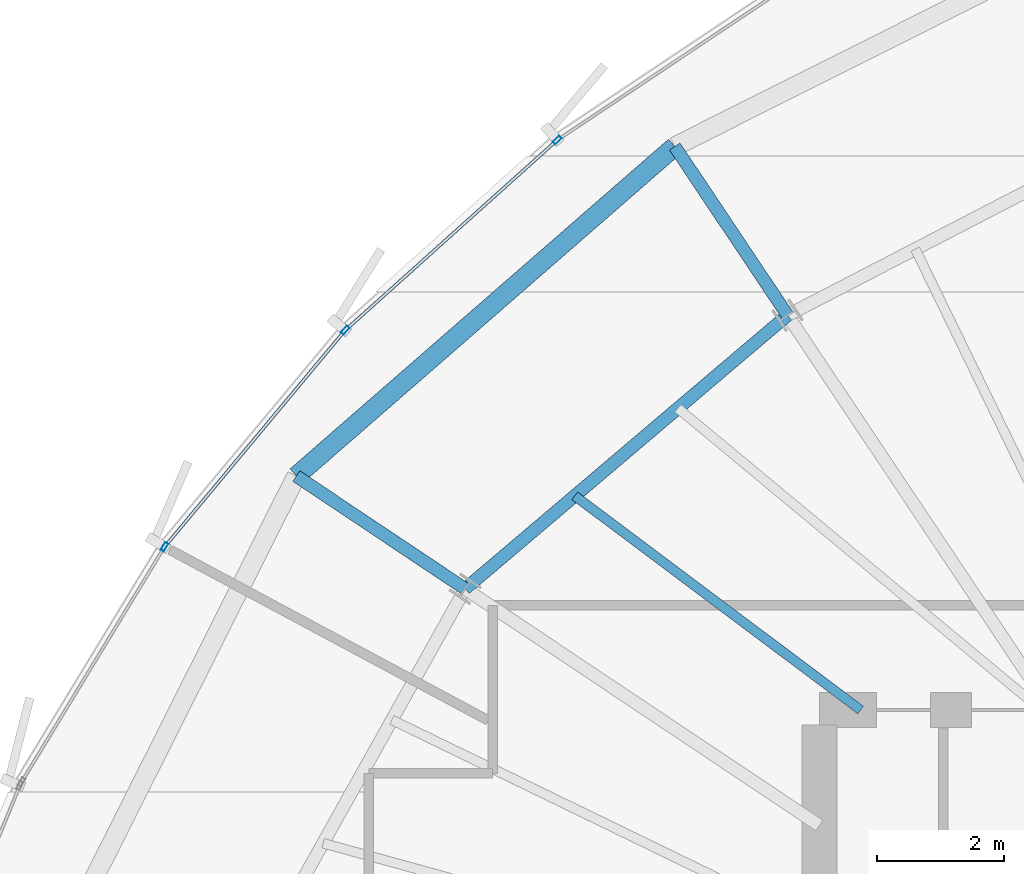
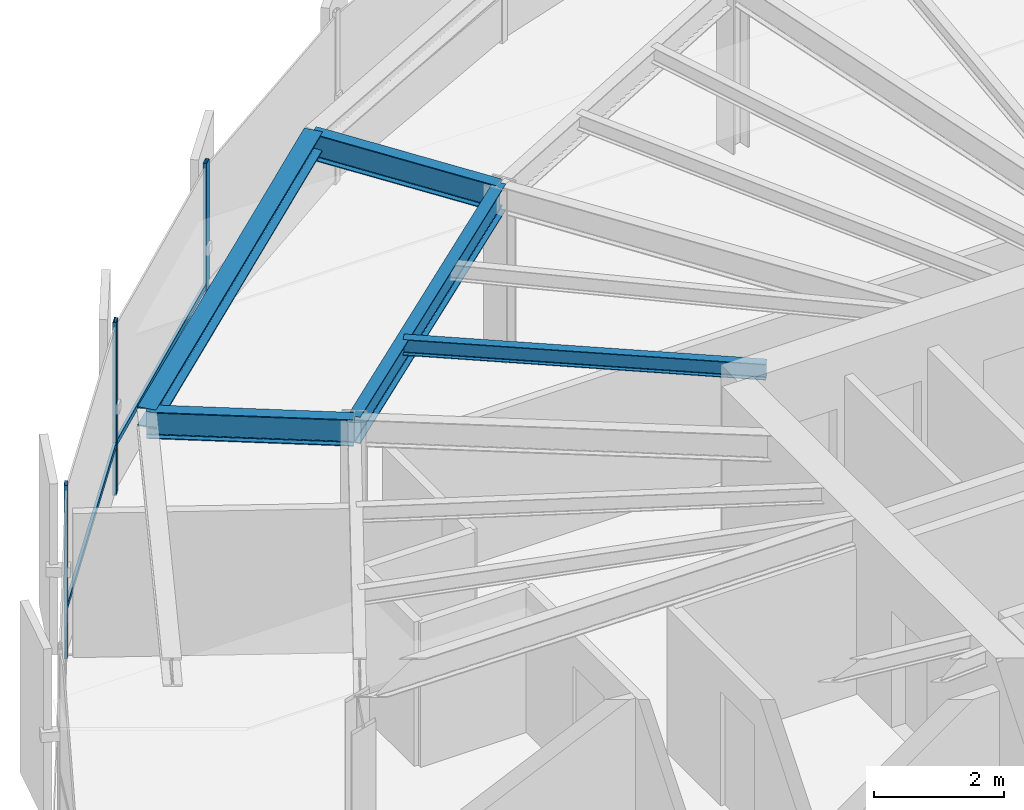
# One storey, part 20 of 34: 5 beams, 5 members, 1 element without a shape of its own.
"""IFC4 building model written with IfcOpenShell, lengths in metres."""

from ifc_helpers import new_model, si_unit, direction, frame, origin, origin_2d, place, context, subcontext, project, spatial, hollow_rectangle, i_section, extrude, source, transform, mapped, material, layer, layer_set, material_profile, profile_set, type_object, element, aggregate, save


model = new_model("IFC4")

# Units and contexts
model_context = context("Model", 3, precision=1e-05, world=origin(), true_north=direction((0.0, 1.0)))
body_context = subcontext(model_context, "Body", "Model", "MODEL_VIEW")
ifc_project = project(units=[si_unit("LENGTHUNIT", "METRE"), si_unit("AREAUNIT", "SQUARE_METRE"), si_unit("VOLUMEUNIT", "CUBIC_METRE"), si_unit("PLANEANGLEUNIT", "RADIAN"), si_unit("MASSUNIT", "GRAM", prefix="KILO"), si_unit("THERMODYNAMICTEMPERATUREUNIT", "KELVIN")], contexts=[model_context])

# Site, building, storey
site_placement = place(None, origin())
site = spatial("IfcSite", under=ifc_project, at=site_placement, CompositionType="ELEMENT")
building_placement = place(site_placement, origin())
building = spatial("IfcBuilding", under=site, at=building_placement, Name="Kethvar Cultural Tower", CompositionType="ELEMENT")
storey_placement = place(building_placement, frame((0.0, 0.0, 186.89990234375)))
storey = spatial("IfcBuildingStorey", under=building, at=storey_placement, Name="L48", CompositionType="ELEMENT", Elevation=186.89990234375)

# Beams
ifc_material_1 = material(Name="Steel S355J2", Category="steel")
ifc_material_profile_1 = material_profile(ifc_material_1, i_section(OverallWidth=0.199951171875, OverallDepth=0.5, WebThickness=0.01025390625, FlangeThickness=0.01611328125, FilletRadius=0.02099609375, at=origin_2d()), Name="Steel S355J2 — IPE500")
ifc_profile_set_1 = profile_set([ifc_material_profile_1], Name="Steel S355J2 — IPE500")
beam_type_1 = type_object("IfcBeamType", Name="BM-IPE500", PredefinedType="BEAM", material=ifc_profile_set_1)
shared_shape_1 = source(origin(), body_context, "Body", "SweptSolid", [
    extrude(i_section(OverallWidth=0.199951171875, OverallDepth=0.5, WebThickness=0.01025390625, FlangeThickness=0.01611328125, FilletRadius=0.02099609375, at=origin_2d()), origin(), (0.0, 0.0, 1.0), 3.199951171875),
])
for number, where, z_axis, x_axis, name in (
    (1, (37.498779296875, 41.720458984375, 3.008056640625), (-0.555580212716, 0.831462943996, 0.0), (-0.831462943996, -0.555580212716, 0.0), "L48 Perimeter Cantilever Beam RC-06"),
    (2, (32.418212890625, 37.409423828125, 3.008056640625), (-0.831462943996, 0.555580212716, 0.0), (-0.555580212716, -0.831462943996, 0.0), "L48 Perimeter Cantilever Beam RC-07"),
):
    element("IfcBeam", number, at=place(storey_placement, frame(where, z_axis=z_axis, x_axis=x_axis)), inside=storey, type_object=beam_type_1, Name=name, PredefinedType="BEAM", context=body_context, shape_type="MappedRepresentation", body=[
        mapped(shared_shape_1, transform((0.0, 0.0, 0.0), scale=1.0)),
    ])
shared_shape_2 = source(origin(), body_context, "Body", "SweptSolid", [
    extrude(i_section(OverallWidth=0.199951171875, OverallDepth=0.5, WebThickness=0.01025390625, FlangeThickness=0.01611328125, FilletRadius=0.02099609375, at=origin_2d()), origin(), (0.0, 0.0, 1.0), 6.6630859375),
])
beam_1_placement = place(storey_placement, frame((37.498779296875, 41.720458984375, 3.008056640625), z_axis=(-0.762490511547, -0.646999397064, 0.0), x_axis=(0.646999397064, -0.762490511547, 0.0)))
element("IfcBeam", 3, at=beam_1_placement, inside=storey, type_object=beam_type_1, Name="L48 Column Ring Tie Beam CR-06", PredefinedType="BEAM", context=body_context, shape_type="MappedRepresentation", body=[
    mapped(shared_shape_2, transform((0.0, 0.0, 0.0), scale=1.0)),
])
ifc_material_profile_2 = material_profile(ifc_material_1, i_section(OverallWidth=0.300048828125, OverallDepth=0.360107421875, WebThickness=0.012451171875, FlangeThickness=0.0224609375, FilletRadius=0.027099609375, at=origin_2d()), Name="Steel S355J2 — HEB360")
ifc_profile_set_2 = profile_set([ifc_material_profile_2], Name="Steel S355J2 — HEB360")
beam_type_2 = type_object("IfcBeamType", Name="BM-SP360", PredefinedType="SPANDREL", material=ifc_profile_set_2)
shared_shape_3 = source(origin(), body_context, "Body", "SweptSolid", [
    extrude(i_section(OverallWidth=0.300048828125, OverallDepth=0.360107421875, WebThickness=0.012451171875, FlangeThickness=0.0224609375, FilletRadius=0.027099609375, at=origin_2d()), origin(), (0.0, 0.0, 1.0), 7.908203125),
])
beam_2_placement = place(storey_placement, frame((35.720947265625, 44.381103515625, 3.078125), z_axis=(-0.754085541675, -0.656776214427, 0.0), x_axis=(0.656776214427, -0.754085541675, 0.0)))
element("IfcBeam", 4, at=beam_2_placement, inside=storey, type_object=beam_type_2, Name="L48 Perimeter Spandrel Beam SP-06", PredefinedType="SPANDREL", context=body_context, shape_type="MappedRepresentation", body=[
    mapped(shared_shape_3, transform((0.0, 0.0, 0.0), scale=1.0)),
])
ifc_material_profile_3 = material_profile(ifc_material_1, i_section(OverallWidth=0.14990234375, OverallDepth=0.300048828125, WebThickness=0.007080078125, FlangeThickness=0.0107421875, FilletRadius=0.014892578125, at=origin_2d()), Name="Steel S355J2 — IPE300")
ifc_profile_set_3 = profile_set([ifc_material_profile_3], Name="Steel S355J2 — IPE300")
beam_type_3 = type_object("IfcBeamType", Name="BM-J300", PredefinedType="JOIST", material=ifc_profile_set_3)
shared_shape_4 = source(origin(), body_context, "Body", "SweptSolid", [
    extrude(i_section(OverallWidth=0.14990234375, OverallDepth=0.300048828125, WebThickness=0.007080078125, FlangeThickness=0.0107421875, FilletRadius=0.014892578125, at=origin_2d()), origin(), (0.0, 0.0, 1.0), 5.628662109375),
])
beam_3_placement = place(storey_placement, frame((38.64990234375, 35.5, 3.108154296875), z_axis=(-0.800260171956, 0.599652947279, 0.0), x_axis=(-0.599652947279, -0.800260171956, 0.0)))
element("IfcBeam", 5, at=beam_3_placement, inside=storey, type_object=beam_type_3, Name="L48 Composite Floor Joist J-06B", PredefinedType="JOIST", context=body_context, shape_type="MappedRepresentation", body=[
    mapped(shared_shape_4, transform((0.0, 0.0, 0.0), scale=1.0)),
])

# Curtain wall, members
ifc_material_2 = material(Name="Aluminium 6063-T6", Category="aluminium")
ifc_layer = layer(ifc_material_2, 0.179931640625, Name="Aluminium 6063-T6", Category="aluminium")
ifc_layer_set = layer_set([ifc_layer], Name="Aluminium 6063-T6 (180 mm)")
curtain_wall_type = type_object("IfcCurtainWallType", Name="CW-SYS-04-Z34", PredefinedType="NOTDEFINED", material=ifc_layer_set)
curtain_wall_placement = place(storey_placement, origin())
curtain_wall = element("IfcCurtainWall", 6, at=curtain_wall_placement, inside=storey, type_object=curtain_wall_type, Name="L48 Curtain Wall Run 02", PredefinedType="NOTDEFINED")
ifc_material_profile_4 = material_profile(ifc_material_2, hollow_rectangle(XDim=0.06005859375, YDim=0.139892578125, WallThickness=0.0048828125, at=origin_2d()), Name="Aluminium 6063-T6 — RHS140x60x5")
ifc_profile_set_4 = profile_set([ifc_material_profile_4], Name="Aluminium 6063-T6 — RHS140x60x5")
member_type_1 = type_object("IfcMemberType", Name="CW-SYS-04-Z34-MUL", PredefinedType="MULLION", material=ifc_profile_set_4)
shared_shape_5 = source(origin(), body_context, "Body", "SweptSolid", [
    extrude(hollow_rectangle(XDim=0.06005859375, YDim=0.139892578125, WallThickness=0.0048828125, at=origin_2d()), origin(), (0.0, 0.0, 1.0), 3.260009765625),
])
member_1_placement = place(storey_placement, frame((33.869873046875, 44.482421875, 0.0), z_axis=(0.0, 0.0, 1.0), x_axis=(0.667858536438, -0.744288234024, 0.0)))
member_1 = element("IfcMember", 7, at=member_1_placement, type_object=member_type_1, Name="CW-L48-R02 Mullion 4", PredefinedType="MULLION", context=body_context, shape_type="MappedRepresentation", body=[
    mapped(shared_shape_5, transform((0.0, 0.0, 0.0), scale=1.0)),
])
member_2_placement = place(storey_placement, frame((30.52734375, 41.484619140625, 0.0), z_axis=(0.0, 0.0, 1.0), x_axis=(0.768160617195, -0.640257187535, 0.0)))
member_2 = element("IfcMember", 8, at=member_2_placement, type_object=member_type_1, Name="CW-L48-R02 Mullion 5", PredefinedType="MULLION", context=body_context, shape_type="MappedRepresentation", body=[
    mapped(shared_shape_5, transform((0.0, 0.0, 0.0), scale=1.0)),
])
member_3_placement = place(storey_placement, frame((27.680419921875, 38.07080078125, 0.0), z_axis=(0.0, 0.0, 1.0), x_axis=(0.854640124453, -0.519220817836, 0.0)))
member_3 = element("IfcMember", 9, at=member_3_placement, type_object=member_type_1, Name="CW-L48-R02 Mullion 6", PredefinedType="MULLION", context=body_context, shape_type="MappedRepresentation", body=[
    mapped(shared_shape_5, transform((0.0, 0.0, 0.0), scale=1.0)),
])
ifc_material_profile_5 = material_profile(ifc_material_2, hollow_rectangle(XDim=0.050048828125, YDim=0.10009765625, WallThickness=0.00390625, at=origin_2d()), Name="Aluminium 6063-T6 — RHS100x50x4")
ifc_profile_set_5 = profile_set([ifc_material_profile_5], Name="Aluminium 6063-T6 — RHS100x50x4")
member_type_2 = type_object("IfcMemberType", Name="CW-SYS-04-Z34-TRN", PredefinedType="USERDEFINED", material=ifc_profile_set_5)
shared_shape_6 = source(origin(), body_context, "Body", "SweptSolid", [
    extrude(hollow_rectangle(XDim=0.050048828125, YDim=0.10009765625, WallThickness=0.00390625, at=origin_2d()), origin(), (0.0, 0.0, 1.0), 4.41943359375),
])
member_4_placement = place(storey_placement, frame((33.837646484375, 44.45361328125, 0.9501953125), z_axis=(-0.74427396748, -0.667874435303, 0.0), x_axis=(0.667874435303, -0.74427396748, 0.0)))
member_4 = element("IfcMember", 10, at=member_4_placement, type_object=member_type_2, Name="CW-L48-R02 Transom 4", ObjectType="TRANSOM", PredefinedType="USERDEFINED", context=body_context, shape_type="MappedRepresentation", body=[
    mapped(shared_shape_6, transform((0.0, 0.0, 0.0), scale=1.0)),
])
shared_shape_7 = source(origin(), body_context, "Body", "SweptSolid", [
    extrude(hollow_rectangle(XDim=0.050048828125, YDim=0.10009765625, WallThickness=0.00390625, at=origin_2d()), origin(), (0.0, 0.0, 1.0), 4.374755859375),
])
member_5_placement = place(storey_placement, frame((30.49951171875, 41.451416015625, 0.9501953125), z_axis=(-0.640255754672, -0.768161811476, 0.0), x_axis=(0.768161811476, -0.640255754672, 0.0)))
member_5 = element("IfcMember", 11, at=member_5_placement, type_object=member_type_2, Name="CW-L48-R02 Transom 5", ObjectType="TRANSOM", PredefinedType="USERDEFINED", context=body_context, shape_type="MappedRepresentation", body=[
    mapped(shared_shape_7, transform((0.0, 0.0, 0.0), scale=1.0)),
])
aggregate(curtain_wall, [member_1, member_2, member_3, member_4, member_5])

save(model, "model.ifc")
